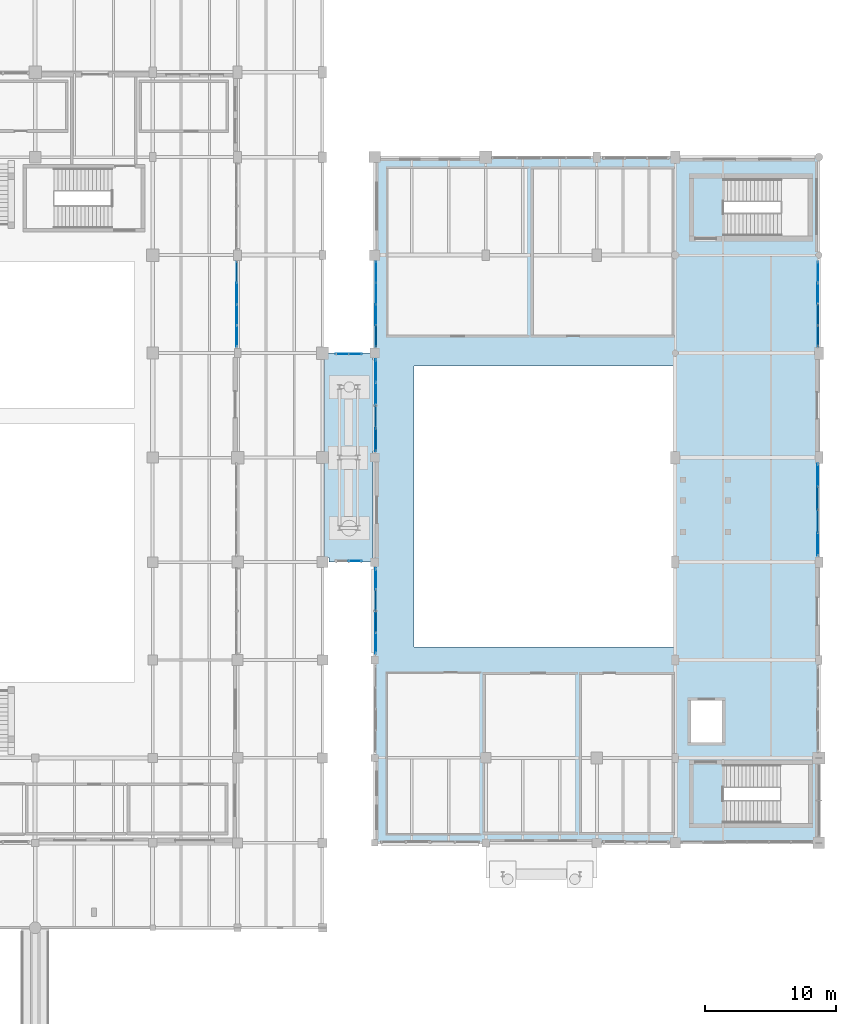
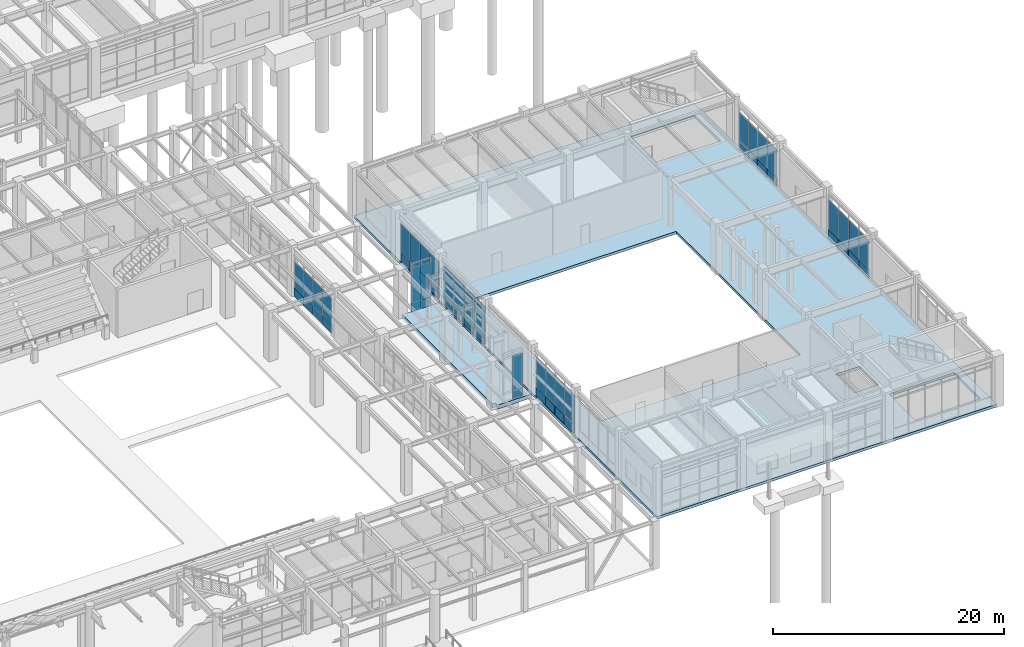
# One storey, part 159 of 203: 54 plates, 2 slabs, 8 elements without a shape of their own.
"""IFC4 building model written with IfcOpenShell, lengths in metres."""

from ifc_helpers import new_model, si_unit, direction, frame, origin, origin_2d, place, context, subcontext, project, spatial, polyline, rectangle, outline, extrude, material, layer, layer_set, type_object, element, aggregate, save


model = new_model("IFC4")

# Units and contexts
model_context = context("Model", 3, precision=1e-05, world=origin(), true_north=direction((0.0, 1.0)))
body_context = subcontext(model_context, "Body", "Model", "MODEL_VIEW")
ifc_project = project(units=[si_unit("LENGTHUNIT", "METRE"), si_unit("AREAUNIT", "SQUARE_METRE"), si_unit("VOLUMEUNIT", "CUBIC_METRE"), si_unit("PLANEANGLEUNIT", "RADIAN"), si_unit("MASSUNIT", "GRAM", prefix="KILO"), si_unit("THERMODYNAMICTEMPERATUREUNIT", "KELVIN"), si_unit("POWERUNIT", "WATT")], contexts=[model_context])

# Site, building, storey
site_placement = place(None, origin())
site = spatial("IfcSite", under=ifc_project, at=site_placement, CompositionType="ELEMENT")
building_placement = place(site_placement, origin())
building = spatial("IfcBuilding", under=site, at=building_placement, Name="Tepalcoro Natatorium and Aquatics Centre", CompositionType="ELEMENT")
storey_placement = place(building_placement, origin())
storey = spatial("IfcBuildingStorey", under=building, at=storey_placement, Name="L00", CompositionType="ELEMENT", Elevation=0.0)

# Curtain wall, plate
ifc_material_1 = material(Name="Bronze-Anodised Extruded Aluminium Alloy EN AW-6063 T6", Category="aluminium")
curtain_wall_type_1 = type_object("IfcCurtainWallType", Name="CW_V3_FOYER", PredefinedType="USERDEFINED", material=ifc_material_1)
curtain_wall_1_placement = place(storey_placement, origin())
curtain_wall_1 = element("IfcCurtainWall", 1, at=curtain_wall_1_placement, inside=storey, type_object=curtain_wall_type_1, Name="V1 L00 E Unitised Curtain Wall Bay 6", ObjectType="UNITISED STOREFRONT", PredefinedType="USERDEFINED")
ifc_material_2 = material(Name="Solar-Control Bronze Tempered Low-E Double Glazing", Category="glass")
ifc_layer_1 = layer(ifc_material_2, 0.048095703125)
ifc_layer_set_1 = layer_set([ifc_layer_1], Name="Solar-Control Bronze Tempered Low-E Double Glazing")
plate_type_1 = type_object("IfcPlateType", Name="PL_ACOUSTIC_IGU_48", PredefinedType="CURTAIN_PANEL", material=ifc_layer_set_1)
plate_1_placement = place(storey_placement, frame((131.4287109375, 48.5673828125, 0.9599609375), z_axis=(0.0, 0.0, 1.0), x_axis=(1.0, 0.0, 0.0)))
plate_1 = element("IfcPlate", 2, at=plate_1_placement, type_object=plate_type_1, Name="CW_V3_FOYER Insulated Glazing Unit", PredefinedType="CURTAIN_PANEL", context=body_context, shape_type="SweptSolid", body=[
    extrude(rectangle(XDim=0.048095703125, YDim=1.614990234375, at=origin_2d()), origin(), (0.0, 0.0, 1.0), 2.7880859375),
])

curtain_wall_type_2 = type_object("IfcCurtainWallType", Name="CW_LEAN_T1_EW", PredefinedType="USERDEFINED", material=ifc_material_1)
curtain_wall_2_placement = place(storey_placement, origin())
curtain_wall_2 = element("IfcCurtainWall", 3, at=curtain_wall_2_placement, inside=storey, type_object=curtain_wall_type_2, Name="V2 L00 W Unitised Curtain Wall Bay 3", ObjectType="FACETED SOLAR GLAZING", PredefinedType="USERDEFINED")
plate_2_placement = place(storey_placement, frame((142.0712890625, 23.4326171875, 0.9599609375), z_axis=(0.0, 0.0, 1.0), x_axis=(1.0, 0.0, 0.0)))
plate_2 = element("IfcPlate", 4, at=plate_2_placement, type_object=plate_type_1, Name="CW_LEAN_T1_EW Insulated Glazing Unit", PredefinedType="CURTAIN_PANEL", context=body_context, shape_type="SweptSolid", body=[
    extrude(rectangle(XDim=0.048095703125, YDim=1.614990234375, at=origin_2d()), origin(), (0.0, 0.0, 1.0), 3.177001953125),
])

# Curtain wall, plates
curtain_wall_type_3 = type_object("IfcCurtainWallType", Name="CW_LEAN_T2_EW", PredefinedType="USERDEFINED", material=ifc_material_1)
curtain_wall_3_placement = place(storey_placement, origin())
curtain_wall_3 = element("IfcCurtainWall", 5, at=curtain_wall_3_placement, inside=storey, type_object=curtain_wall_type_3, Name="V2 L00 W Unitised Curtain Wall Bay 5", ObjectType="FACETED SOLAR GLAZING", PredefinedType="USERDEFINED")
plate_3_placement = place(storey_placement, frame((142.0712890625, 37.360107421875, 0.9599609375), z_axis=(0.0, 0.0, 1.0), x_axis=(1.0, 0.0, 0.0)))
plate_3 = element("IfcPlate", 6, at=plate_3_placement, type_object=plate_type_1, Name="CW_LEAN_T2_EW Insulated Glazing Unit", PredefinedType="CURTAIN_PANEL", context=body_context, shape_type="SweptSolid", body=[
    extrude(rectangle(XDim=0.048095703125, YDim=1.739990234375, at=origin_2d()), origin(), (0.0, 0.0, 1.0), 3.053955078125),
])
plate_4_placement = place(storey_placement, frame((142.0712890625, 42.639892578125, 0.9599609375), z_axis=(0.0, 0.0, 1.0), x_axis=(1.0, 0.0, 0.0)))
plate_4 = element("IfcPlate", 7, at=plate_4_placement, type_object=plate_type_1, Name="CW_LEAN_T2_EW Insulated Glazing Unit", PredefinedType="CURTAIN_PANEL", context=body_context, shape_type="SweptSolid", body=[
    extrude(rectangle(XDim=0.048095703125, YDim=1.739990234375, at=origin_2d()), origin(), (0.0, 0.0, 1.0), 3.053955078125),
])

# Curtain wall, plate
curtain_wall_type_4 = type_object("IfcCurtainWallType", Name="CW_V1_PLINTH", PredefinedType="USERDEFINED", material=ifc_material_1)
curtain_wall_4_placement = place(storey_placement, origin())
curtain_wall_4 = element("IfcCurtainWall", 8, at=curtain_wall_4_placement, inside=storey, type_object=curtain_wall_type_4, Name="V2 L00 W Unitised Curtain Wall Bay 6", ObjectType="UNITISED STOREFRONT", PredefinedType="USERDEFINED")
plate_5_placement = place(storey_placement, frame((142.090087890625, 48.5673828125, 0.9599609375), z_axis=(0.0, 0.0, 1.0), x_axis=(1.0, 0.0, 0.0)))
plate_5 = element("IfcPlate", 9, at=plate_5_placement, type_object=plate_type_1, Name="CW_V1_PLINTH Insulated Glazing Unit", PredefinedType="CURTAIN_PANEL", context=body_context, shape_type="SweptSolid", body=[
    extrude(rectangle(XDim=0.048095703125, YDim=1.614990234375, at=origin_2d()), origin(), (0.0, 0.0, 1.0), 2.97802734375),
])

curtain_wall_5_placement = place(storey_placement, origin())
curtain_wall_5 = element("IfcCurtainWall", 10, at=curtain_wall_5_placement, inside=storey, type_object=curtain_wall_type_4, Name="V2 L00 E Unitised Curtain Wall Bay 4", ObjectType="UNITISED STOREFRONT", PredefinedType="USERDEFINED")
plate_6_placement = place(storey_placement, frame((175.909912109375, 32.8798828125, 0.9599609375), z_axis=(0.0, 0.0, 1.0), x_axis=(1.0, 0.0, 0.0)))
plate_6 = element("IfcPlate", 11, at=plate_6_placement, type_object=plate_type_1, Name="CW_V1_PLINTH Insulated Glazing Unit", PredefinedType="CURTAIN_PANEL", context=body_context, shape_type="SweptSolid", body=[
    extrude(rectangle(XDim=0.048095703125, YDim=1.739990234375, at=origin_2d()), origin(), (0.0, 0.0, 1.0), 3.1298828125),
])

curtain_wall_6_placement = place(storey_placement, origin())
curtain_wall_6 = element("IfcCurtainWall", 12, at=curtain_wall_6_placement, inside=storey, type_object=curtain_wall_type_1, Name="V2 L00 E Unitised Curtain Wall Bay 6", ObjectType="UNITISED STOREFRONT", PredefinedType="USERDEFINED")
plate_7_placement = place(storey_placement, frame((175.9287109375, 46.9326171875, 0.9599609375), z_axis=(0.0, 0.0, 1.0), x_axis=(1.0, 0.0, 0.0)))
plate_7 = element("IfcPlate", 13, at=plate_7_placement, type_object=plate_type_1, Name="CW_V3_FOYER Insulated Glazing Unit", PredefinedType="CURTAIN_PANEL", context=body_context, shape_type="SweptSolid", body=[
    extrude(rectangle(XDim=0.048095703125, YDim=1.614990234375, at=origin_2d()), origin(), (0.0, 0.0, 1.0), 2.97802734375),
])

# Plate
ifc_layer_2 = layer(ifc_material_2, 0.028076171875)
ifc_layer_set_2 = layer_set([ifc_layer_2], Name="Solar-Control Bronze Tempered Low-E Double Glazing")
plate_type_2 = type_object("IfcPlateType", Name="PL_BRONZE_IGU_28", PredefinedType="CURTAIN_PANEL", material=ifc_layer_set_2)
plate_8_placement = place(storey_placement, frame((131.4287109375, 46.9326171875, 0.9599609375), z_axis=(0.0, 0.0, 1.0), x_axis=(1.0, 0.0, 0.0)))
plate_8 = element("IfcPlate", 14, at=plate_8_placement, type_object=plate_type_2, Name="CW_V3_FOYER Insulated Glazing Unit", PredefinedType="CURTAIN_PANEL", context=body_context, shape_type="SweptSolid", body=[
    extrude(rectangle(XDim=0.028076171875, YDim=1.614990234375, at=origin_2d()), origin(), (0.0, 0.0, 1.0), 2.7880859375),
])

plate_9_placement = place(storey_placement, frame((142.0712890625, 21.797607421875, 0.9599609375), z_axis=(0.0, 0.0, 1.0), x_axis=(1.0, 0.0, 0.0)))
plate_9 = element("IfcPlate", 15, at=plate_9_placement, type_object=plate_type_2, Name="CW_LEAN_T1_EW Insulated Glazing Unit", PredefinedType="CURTAIN_PANEL", context=body_context, shape_type="SweptSolid", body=[
    extrude(rectangle(XDim=0.028076171875, YDim=1.614990234375, at=origin_2d()), origin(), (0.0, 0.0, 1.0), 3.177001953125),
])

plate_10_placement = place(storey_placement, frame((142.0712890625, 26.702392578125, 0.9599609375), z_axis=(0.0, 0.0, 1.0), x_axis=(1.0, 0.0, 0.0)))
plate_10 = element("IfcPlate", 16, at=plate_10_placement, type_object=plate_type_2, Name="CW_LEAN_T1_EW Insulated Glazing Unit", PredefinedType="CURTAIN_PANEL", context=body_context, shape_type="SweptSolid", body=[
    extrude(rectangle(XDim=0.028076171875, YDim=1.614990234375, at=origin_2d()), origin(), (0.0, 0.0, 1.0), 3.177001953125),
])

plate_11_placement = place(storey_placement, frame((142.0712890625, 40.8798828125, 0.9599609375), z_axis=(0.0, 0.0, 1.0), x_axis=(1.0, 0.0, 0.0)))
plate_11 = element("IfcPlate", 17, at=plate_11_placement, type_object=plate_type_2, Name="CW_LEAN_T2_EW Insulated Glazing Unit", PredefinedType="CURTAIN_PANEL", context=body_context, shape_type="SweptSolid", body=[
    extrude(rectangle(XDim=0.028076171875, YDim=1.739990234375, at=origin_2d()), origin(), (0.0, 0.0, 1.0), 3.053955078125),
])

plate_12_placement = place(storey_placement, frame((142.090087890625, 46.9326171875, 0.9599609375), z_axis=(0.0, 0.0, 1.0), x_axis=(1.0, 0.0, 0.0)))
plate_12 = element("IfcPlate", 18, at=plate_12_placement, type_object=plate_type_2, Name="CW_V1_PLINTH Insulated Glazing Unit", PredefinedType="CURTAIN_PANEL", context=body_context, shape_type="SweptSolid", body=[
    extrude(rectangle(XDim=0.028076171875, YDim=1.614990234375, at=origin_2d()), origin(), (0.0, 0.0, 1.0), 2.97802734375),
])

plate_13_placement = place(storey_placement, frame((175.909912109375, 31.1201171875, 0.9599609375), z_axis=(0.0, 0.0, 1.0), x_axis=(1.0, 0.0, 0.0)))
plate_13 = element("IfcPlate", 19, at=plate_13_placement, type_object=plate_type_2, Name="CW_V1_PLINTH Insulated Glazing Unit", PredefinedType="CURTAIN_PANEL", context=body_context, shape_type="SweptSolid", body=[
    extrude(rectangle(XDim=0.028076171875, YDim=1.739990234375, at=origin_2d()), origin(), (0.0, 0.0, 1.0), 3.1298828125),
])

plate_14_placement = place(storey_placement, frame((175.9287109375, 45.297607421875, 0.9599609375), z_axis=(0.0, 0.0, 1.0), x_axis=(1.0, 0.0, 0.0)))
plate_14 = element("IfcPlate", 20, at=plate_14_placement, type_object=plate_type_2, Name="CW_V3_FOYER Insulated Glazing Unit", PredefinedType="CURTAIN_PANEL", context=body_context, shape_type="SweptSolid", body=[
    extrude(rectangle(XDim=0.028076171875, YDim=1.614990234375, at=origin_2d()), origin(), (0.0, 0.0, 1.0), 2.97802734375),
])

plate_15_placement = place(storey_placement, frame((175.9287109375, 50.202392578125, 0.9599609375), z_axis=(0.0, 0.0, 1.0), x_axis=(1.0, 0.0, 0.0)))
plate_15 = element("IfcPlate", 21, at=plate_15_placement, type_object=plate_type_2, Name="CW_V3_FOYER Insulated Glazing Unit", PredefinedType="CURTAIN_PANEL", context=body_context, shape_type="SweptSolid", body=[
    extrude(rectangle(XDim=0.028076171875, YDim=1.614990234375, at=origin_2d()), origin(), (0.0, 0.0, 1.0), 2.97802734375),
])

# Curtain wall, plate
curtain_wall_type_5 = type_object("IfcCurtainWallType", Name="CW_LINK_150", PredefinedType="USERDEFINED", material=ifc_material_1)
curtain_wall_7_placement = place(storey_placement, origin())
curtain_wall_7 = element("IfcCurtainWall", 22, at=curtain_wall_7_placement, inside=storey, type_object=curtain_wall_type_5, Name="East Diving Seismic Link Glazed Wall N L00", ObjectType="UNITISED STOREFRONT", PredefinedType="USERDEFINED")
plate_16_placement = place(storey_placement, frame((140.5, 43.919921875, 0.9599609375), z_axis=(0.0, 0.0, 1.0), x_axis=(1.0, 0.0, 0.0)))
plate_16 = element("IfcPlate", 23, at=plate_16_placement, type_object=plate_type_2, Name="CW_LINK_150 Insulated Glazing Unit", PredefinedType="CURTAIN_PANEL", context=body_context, shape_type="SweptSolid", body=[
    extrude(rectangle(XDim=0.97998046875, YDim=0.028076171875, at=origin_2d()), origin(), (0.0, 0.0, 1.0), 3.639892578125),
])

# Plate
ifc_material_3 = material(Name="Jalisco Cantera Rosa Volcanic Tuff Ashlar Masonry", Category="masonry")
ifc_layer_3 = layer(ifc_material_3, 0.090087890625)
ifc_layer_set_3 = layer_set([ifc_layer_3], Name="Jalisco Cantera Rosa Volcanic Tuff Ashlar Masonry")
plate_type_3 = type_object("IfcPlateType", Name="PL_CANTERA_90", PredefinedType="SHEET", material=ifc_layer_set_3)
plate_17_placement = place(storey_placement, frame((131.4287109375, 50.202392578125, 0.044921875), z_axis=(0.0, 0.0, 1.0), x_axis=(1.0, 0.0, 0.0)))
plate_17 = element("IfcPlate", 24, at=plate_17_placement, type_object=plate_type_3, Name="CW_V3_FOYER Spandrel & Screen Panel", PredefinedType="SHEET", context=body_context, shape_type="SweptSolid", body=[
    extrude(rectangle(XDim=0.090087890625, YDim=1.614990234375, at=origin_2d()), origin(), (0.0, 0.0, 1.0), 0.909912109375),
])

plate_18_placement = place(storey_placement, frame((142.0712890625, 23.4326171875, 0.044921875), z_axis=(0.0, 0.0, 1.0), x_axis=(1.0, 0.0, 0.0)))
plate_18 = element("IfcPlate", 25, at=plate_18_placement, type_object=plate_type_3, Name="CW_LEAN_T1_EW Spandrel & Screen Panel", PredefinedType="SHEET", context=body_context, shape_type="SweptSolid", body=[
    extrude(rectangle(XDim=0.090087890625, YDim=1.614990234375, at=origin_2d()), origin(), (0.0, 0.0, 1.0), 0.909912109375),
])

plate_19_placement = place(storey_placement, frame((142.0712890625, 37.360107421875, 0.044921875), z_axis=(0.0, 0.0, 1.0), x_axis=(1.0, 0.0, 0.0)))
plate_19 = element("IfcPlate", 26, at=plate_19_placement, type_object=plate_type_3, Name="CW_LEAN_T2_EW Spandrel & Screen Panel", PredefinedType="SHEET", context=body_context, shape_type="SweptSolid", body=[
    extrude(rectangle(XDim=0.090087890625, YDim=1.739990234375, at=origin_2d()), origin(), (0.0, 0.0, 1.0), 0.909912109375),
])

plate_20_placement = place(storey_placement, frame((175.909912109375, 31.1201171875, 0.044921875), z_axis=(0.0, 0.0, 1.0), x_axis=(1.0, 0.0, 0.0)))
plate_20 = element("IfcPlate", 27, at=plate_20_placement, type_object=plate_type_3, Name="CW_V1_PLINTH Spandrel & Screen Panel", PredefinedType="SHEET", context=body_context, shape_type="SweptSolid", body=[
    extrude(rectangle(XDim=0.090087890625, YDim=1.739990234375, at=origin_2d()), origin(), (0.0, 0.0, 1.0), 0.909912109375),
])

plate_21_placement = place(storey_placement, frame((175.9287109375, 45.297607421875, 0.044921875), z_axis=(0.0, 0.0, 1.0), x_axis=(1.0, 0.0, 0.0)))
plate_21 = element("IfcPlate", 28, at=plate_21_placement, type_object=plate_type_3, Name="CW_V3_FOYER Spandrel & Screen Panel", PredefinedType="SHEET", context=body_context, shape_type="SweptSolid", body=[
    extrude(rectangle(XDim=0.090087890625, YDim=1.614990234375, at=origin_2d()), origin(), (0.0, 0.0, 1.0), 0.909912109375),
])

ifc_material_4 = material(Name="Clear Tempered Low-E Safety Glazing", Category="glass")
ifc_layer_4 = layer(ifc_material_4, 0.011962890625)
ifc_layer_set_4 = layer_set([ifc_layer_4], Name="Clear Tempered Low-E Safety Glazing")
plate_type_4 = type_object("IfcPlateType", Name="PL_GLASS_12", PredefinedType="CURTAIN_PANEL", material=ifc_layer_set_4)
plate_22_placement = place(storey_placement, frame((131.4287109375, 45.297607421875, 0.9599609375), z_axis=(0.0, 0.0, 1.0), x_axis=(1.0, 0.0, 0.0)))
plate_22 = element("IfcPlate", 29, at=plate_22_placement, type_object=plate_type_4, Name="CW_V3_FOYER Insulated Glazing Unit", PredefinedType="CURTAIN_PANEL", context=body_context, shape_type="SweptSolid", body=[
    extrude(rectangle(XDim=0.011962890625, YDim=1.614990234375, at=origin_2d()), origin(), (0.0, 0.0, 1.0), 2.7880859375),
])

plate_23_placement = place(storey_placement, frame((131.4287109375, 50.202392578125, 0.9599609375), z_axis=(0.0, 0.0, 1.0), x_axis=(1.0, 0.0, 0.0)))
plate_23 = element("IfcPlate", 30, at=plate_23_placement, type_object=plate_type_4, Name="CW_V3_FOYER Insulated Glazing Unit", PredefinedType="CURTAIN_PANEL", context=body_context, shape_type="SweptSolid", body=[
    extrude(rectangle(XDim=0.011962890625, YDim=1.614990234375, at=origin_2d()), origin(), (0.0, 0.0, 1.0), 2.7880859375),
])

plate_24_placement = place(storey_placement, frame((142.0712890625, 25.0673828125, 0.9599609375), z_axis=(0.0, 0.0, 1.0), x_axis=(1.0, 0.0, 0.0)))
plate_24 = element("IfcPlate", 31, at=plate_24_placement, type_object=plate_type_4, Name="CW_LEAN_T1_EW Insulated Glazing Unit", PredefinedType="CURTAIN_PANEL", context=body_context, shape_type="SweptSolid", body=[
    extrude(rectangle(XDim=0.011962890625, YDim=1.614990234375, at=origin_2d()), origin(), (0.0, 0.0, 1.0), 3.177001953125),
])

plate_25_placement = place(storey_placement, frame((142.0712890625, 39.1201171875, 0.9599609375), z_axis=(0.0, 0.0, 1.0), x_axis=(1.0, 0.0, 0.0)))
plate_25 = element("IfcPlate", 32, at=plate_25_placement, type_object=plate_type_4, Name="CW_LEAN_T2_EW Insulated Glazing Unit", PredefinedType="CURTAIN_PANEL", context=body_context, shape_type="SweptSolid", body=[
    extrude(rectangle(XDim=0.011962890625, YDim=1.739990234375, at=origin_2d()), origin(), (0.0, 0.0, 1.0), 3.053955078125),
])

plate_26_placement = place(storey_placement, frame((142.090087890625, 45.297607421875, 0.9599609375), z_axis=(0.0, 0.0, 1.0), x_axis=(1.0, 0.0, 0.0)))
plate_26 = element("IfcPlate", 33, at=plate_26_placement, type_object=plate_type_4, Name="CW_V1_PLINTH Insulated Glazing Unit", PredefinedType="CURTAIN_PANEL", context=body_context, shape_type="SweptSolid", body=[
    extrude(rectangle(XDim=0.011962890625, YDim=1.614990234375, at=origin_2d()), origin(), (0.0, 0.0, 1.0), 2.97802734375),
])

plate_27_placement = place(storey_placement, frame((142.090087890625, 50.202392578125, 0.9599609375), z_axis=(0.0, 0.0, 1.0), x_axis=(1.0, 0.0, 0.0)))
plate_27 = element("IfcPlate", 34, at=plate_27_placement, type_object=plate_type_4, Name="CW_V1_PLINTH Insulated Glazing Unit", PredefinedType="CURTAIN_PANEL", context=body_context, shape_type="SweptSolid", body=[
    extrude(rectangle(XDim=0.011962890625, YDim=1.614990234375, at=origin_2d()), origin(), (0.0, 0.0, 1.0), 2.97802734375),
])

plate_28_placement = place(storey_placement, frame((175.909912109375, 29.360107421875, 0.9599609375), z_axis=(0.0, 0.0, 1.0), x_axis=(1.0, 0.0, 0.0)))
plate_28 = element("IfcPlate", 35, at=plate_28_placement, type_object=plate_type_4, Name="CW_V1_PLINTH Insulated Glazing Unit", PredefinedType="CURTAIN_PANEL", context=body_context, shape_type="SweptSolid", body=[
    extrude(rectangle(XDim=0.011962890625, YDim=1.739990234375, at=origin_2d()), origin(), (0.0, 0.0, 1.0), 3.1298828125),
])

plate_29_placement = place(storey_placement, frame((175.909912109375, 34.639892578125, 0.9599609375), z_axis=(0.0, 0.0, 1.0), x_axis=(1.0, 0.0, 0.0)))
plate_29 = element("IfcPlate", 36, at=plate_29_placement, type_object=plate_type_4, Name="CW_V1_PLINTH Insulated Glazing Unit", PredefinedType="CURTAIN_PANEL", context=body_context, shape_type="SweptSolid", body=[
    extrude(rectangle(XDim=0.011962890625, YDim=1.739990234375, at=origin_2d()), origin(), (0.0, 0.0, 1.0), 3.1298828125),
])

plate_30_placement = place(storey_placement, frame((175.9287109375, 48.5673828125, 0.9599609375), z_axis=(0.0, 0.0, 1.0), x_axis=(1.0, 0.0, 0.0)))
plate_30 = element("IfcPlate", 37, at=plate_30_placement, type_object=plate_type_4, Name="CW_V3_FOYER Insulated Glazing Unit", PredefinedType="CURTAIN_PANEL", context=body_context, shape_type="SweptSolid", body=[
    extrude(rectangle(XDim=0.011962890625, YDim=1.614990234375, at=origin_2d()), origin(), (0.0, 0.0, 1.0), 2.97802734375),
])

# Curtain wall, plate
curtain_wall_8_placement = place(storey_placement, origin())
curtain_wall_8 = element("IfcCurtainWall", 38, at=curtain_wall_8_placement, inside=storey, type_object=curtain_wall_type_5, Name="East Diving Seismic Link Glazed Wall S L00", ObjectType="UNITISED STOREFRONT", PredefinedType="USERDEFINED")
plate_31_placement = place(storey_placement, frame((140.5, 28.080078125, 0.9599609375), z_axis=(0.0, 0.0, 1.0), x_axis=(1.0, 0.0, 0.0)))
plate_31 = element("IfcPlate", 39, at=plate_31_placement, type_object=plate_type_4, Name="CW_LINK_150 Insulated Glazing Unit", PredefinedType="CURTAIN_PANEL", context=body_context, shape_type="SweptSolid", body=[
    extrude(rectangle(XDim=0.97998046875, YDim=0.011962890625, at=origin_2d()), origin(), (0.0, 0.0, 1.0), 3.639892578125),
])

# Plate
plate_32_placement = place(storey_placement, frame((139.5, 43.919921875, 0.9599609375), z_axis=(0.0, 0.0, 1.0), x_axis=(1.0, 0.0, 0.0)))
plate_32 = element("IfcPlate", 40, at=plate_32_placement, type_object=plate_type_4, Name="CW_LINK_150 Insulated Glazing Unit", PredefinedType="CURTAIN_PANEL", context=body_context, shape_type="SweptSolid", body=[
    extrude(rectangle(XDim=0.97998046875, YDim=0.011962890625, at=origin_2d()), origin(), (0.0, 0.0, 1.0), 3.639892578125),
])

ifc_material_5 = material(Name="Volcanic Recinto Basalt Ashlar Masonry", Category="masonry")
ifc_layer_5 = layer(ifc_material_5, 0.110107421875)
ifc_layer_set_5 = layer_set([ifc_layer_5], Name="Volcanic Recinto Basalt Ashlar Masonry")
plate_type_5 = type_object("IfcPlateType", Name="PL_RECINTO_110", PredefinedType="SHEET", material=ifc_layer_set_5)
plate_33_placement = place(storey_placement, frame((142.0712890625, 25.0673828125, 0.044921875), z_axis=(0.0, 0.0, 1.0), x_axis=(1.0, 0.0, 0.0)))
plate_33 = element("IfcPlate", 41, at=plate_33_placement, type_object=plate_type_5, Name="CW_LEAN_T1_EW Spandrel & Screen Panel", PredefinedType="SHEET", context=body_context, shape_type="SweptSolid", body=[
    extrude(rectangle(XDim=0.110107421875, YDim=1.614990234375, at=origin_2d()), origin(), (0.0, 0.0, 1.0), 0.909912109375),
])

plate_34_placement = place(storey_placement, frame((142.0712890625, 39.1201171875, 0.044921875), z_axis=(0.0, 0.0, 1.0), x_axis=(1.0, 0.0, 0.0)))
plate_34 = element("IfcPlate", 42, at=plate_34_placement, type_object=plate_type_5, Name="CW_LEAN_T2_EW Spandrel & Screen Panel", PredefinedType="SHEET", context=body_context, shape_type="SweptSolid", body=[
    extrude(rectangle(XDim=0.110107421875, YDim=1.739990234375, at=origin_2d()), origin(), (0.0, 0.0, 1.0), 0.909912109375),
])

plate_35_placement = place(storey_placement, frame((142.090087890625, 45.297607421875, 0.044921875), z_axis=(0.0, 0.0, 1.0), x_axis=(1.0, 0.0, 0.0)))
plate_35 = element("IfcPlate", 43, at=plate_35_placement, type_object=plate_type_5, Name="CW_V1_PLINTH Spandrel & Screen Panel", PredefinedType="SHEET", context=body_context, shape_type="SweptSolid", body=[
    extrude(rectangle(XDim=0.110107421875, YDim=1.614990234375, at=origin_2d()), origin(), (0.0, 0.0, 1.0), 0.909912109375),
])

plate_36_placement = place(storey_placement, frame((175.909912109375, 32.8798828125, 0.044921875), z_axis=(0.0, 0.0, 1.0), x_axis=(1.0, 0.0, 0.0)))
plate_36 = element("IfcPlate", 44, at=plate_36_placement, type_object=plate_type_5, Name="CW_V1_PLINTH Spandrel & Screen Panel", PredefinedType="SHEET", context=body_context, shape_type="SweptSolid", body=[
    extrude(rectangle(XDim=0.110107421875, YDim=1.739990234375, at=origin_2d()), origin(), (0.0, 0.0, 1.0), 0.909912109375),
])

plate_37_placement = place(storey_placement, frame((175.9287109375, 46.9326171875, 0.044921875), z_axis=(0.0, 0.0, 1.0), x_axis=(1.0, 0.0, 0.0)))
plate_37 = element("IfcPlate", 45, at=plate_37_placement, type_object=plate_type_5, Name="CW_V3_FOYER Spandrel & Screen Panel", PredefinedType="SHEET", context=body_context, shape_type="SweptSolid", body=[
    extrude(rectangle(XDim=0.110107421875, YDim=1.614990234375, at=origin_2d()), origin(), (0.0, 0.0, 1.0), 0.909912109375),
])

ifc_layer_6 = layer(ifc_material_1, 0.050048828125)
ifc_layer_set_6 = layer_set([ifc_layer_6], Name="Bronze-Anodised Extruded Aluminium Alloy EN AW-6063 T6")
plate_type_6 = type_object("IfcPlateType", Name="PL_SCREEN_50", PredefinedType="SHEET", material=ifc_layer_set_6)
plate_38_placement = place(storey_placement, frame((131.4287109375, 46.9326171875, 0.044921875), z_axis=(0.0, 0.0, 1.0), x_axis=(1.0, 0.0, 0.0)))
plate_38 = element("IfcPlate", 46, at=plate_38_placement, type_object=plate_type_6, Name="CW_V3_FOYER Spandrel & Screen Panel", PredefinedType="SHEET", context=body_context, shape_type="SweptSolid", body=[
    extrude(rectangle(XDim=0.050048828125, YDim=1.614990234375, at=origin_2d()), origin(), (0.0, 0.0, 1.0), 0.909912109375),
])

plate_39_placement = place(storey_placement, frame((142.0712890625, 42.639892578125, 0.044921875), z_axis=(0.0, 0.0, 1.0), x_axis=(1.0, 0.0, 0.0)))
plate_39 = element("IfcPlate", 47, at=plate_39_placement, type_object=plate_type_6, Name="CW_LEAN_T2_EW Spandrel & Screen Panel", PredefinedType="SHEET", context=body_context, shape_type="SweptSolid", body=[
    extrude(rectangle(XDim=0.050048828125, YDim=1.739990234375, at=origin_2d()), origin(), (0.0, 0.0, 1.0), 0.909912109375),
])

plate_40_placement = place(storey_placement, frame((142.090087890625, 48.5673828125, 0.044921875), z_axis=(0.0, 0.0, 1.0), x_axis=(1.0, 0.0, 0.0)))
plate_40 = element("IfcPlate", 48, at=plate_40_placement, type_object=plate_type_6, Name="CW_V1_PLINTH Spandrel & Screen Panel", PredefinedType="SHEET", context=body_context, shape_type="SweptSolid", body=[
    extrude(rectangle(XDim=0.050048828125, YDim=1.614990234375, at=origin_2d()), origin(), (0.0, 0.0, 1.0), 0.909912109375),
])

plate_41_placement = place(storey_placement, frame((175.9287109375, 50.202392578125, 0.044921875), z_axis=(0.0, 0.0, 1.0), x_axis=(1.0, 0.0, 0.0)))
plate_41 = element("IfcPlate", 49, at=plate_41_placement, type_object=plate_type_6, Name="CW_V3_FOYER Spandrel & Screen Panel", PredefinedType="SHEET", context=body_context, shape_type="SweptSolid", body=[
    extrude(rectangle(XDim=0.050048828125, YDim=1.614990234375, at=origin_2d()), origin(), (0.0, 0.0, 1.0), 0.909912109375),
])

plate_42_placement = place(storey_placement, frame((140.5, 28.080078125, 0.044921875), z_axis=(0.0, 0.0, 1.0), x_axis=(1.0, 0.0, 0.0)))
plate_42 = element("IfcPlate", 50, at=plate_42_placement, type_object=plate_type_6, Name="CW_LINK_150 Spandrel & Screen Panel", PredefinedType="SHEET", context=body_context, shape_type="SweptSolid", body=[
    extrude(rectangle(XDim=0.97998046875, YDim=0.050048828125, at=origin_2d()), origin(), (0.0, 0.0, 1.0), 0.909912109375),
])

aggregate(curtain_wall_8, [plate_31, plate_42])

plate_43_placement = place(storey_placement, frame((139.5, 43.919921875, 0.044921875), z_axis=(0.0, 0.0, 1.0), x_axis=(1.0, 0.0, 0.0)))
plate_43 = element("IfcPlate", 51, at=plate_43_placement, type_object=plate_type_6, Name="CW_LINK_150 Spandrel & Screen Panel", PredefinedType="SHEET", context=body_context, shape_type="SweptSolid", body=[
    extrude(rectangle(XDim=0.97998046875, YDim=0.050048828125, at=origin_2d()), origin(), (0.0, 0.0, 1.0), 0.909912109375),
])

ifc_layer_7 = layer(ifc_material_1, 0.06005859375)
ifc_layer_set_7 = layer_set([ifc_layer_7], Name="Bronze-Anodised Extruded Aluminium Alloy EN AW-6063 T6")
plate_type_7 = type_object("IfcPlateType", Name="PL_SCREEN_60", PredefinedType="SHEET", material=ifc_layer_set_7)
plate_44_placement = place(storey_placement, frame((131.4287109375, 48.5673828125, 0.044921875), z_axis=(0.0, 0.0, 1.0), x_axis=(1.0, 0.0, 0.0)))
plate_44 = element("IfcPlate", 52, at=plate_44_placement, type_object=plate_type_7, Name="CW_V3_FOYER Spandrel & Screen Panel", PredefinedType="SHEET", context=body_context, shape_type="SweptSolid", body=[
    extrude(rectangle(XDim=0.06005859375, YDim=1.614990234375, at=origin_2d()), origin(), (0.0, 0.0, 1.0), 0.909912109375),
])

plate_45_placement = place(storey_placement, frame((142.0712890625, 21.797607421875, 0.044921875), z_axis=(0.0, 0.0, 1.0), x_axis=(1.0, 0.0, 0.0)))
plate_45 = element("IfcPlate", 53, at=plate_45_placement, type_object=plate_type_7, Name="CW_LEAN_T1_EW Spandrel & Screen Panel", PredefinedType="SHEET", context=body_context, shape_type="SweptSolid", body=[
    extrude(rectangle(XDim=0.06005859375, YDim=1.614990234375, at=origin_2d()), origin(), (0.0, 0.0, 1.0), 0.909912109375),
])

plate_46_placement = place(storey_placement, frame((142.090087890625, 50.202392578125, 0.044921875), z_axis=(0.0, 0.0, 1.0), x_axis=(1.0, 0.0, 0.0)))
plate_46 = element("IfcPlate", 54, at=plate_46_placement, type_object=plate_type_7, Name="CW_V1_PLINTH Spandrel & Screen Panel", PredefinedType="SHEET", context=body_context, shape_type="SweptSolid", body=[
    extrude(rectangle(XDim=0.06005859375, YDim=1.614990234375, at=origin_2d()), origin(), (0.0, 0.0, 1.0), 0.909912109375),
])

plate_47_placement = place(storey_placement, frame((175.909912109375, 29.360107421875, 0.044921875), z_axis=(0.0, 0.0, 1.0), x_axis=(1.0, 0.0, 0.0)))
plate_47 = element("IfcPlate", 55, at=plate_47_placement, type_object=plate_type_7, Name="CW_V1_PLINTH Spandrel & Screen Panel", PredefinedType="SHEET", context=body_context, shape_type="SweptSolid", body=[
    extrude(rectangle(XDim=0.06005859375, YDim=1.739990234375, at=origin_2d()), origin(), (0.0, 0.0, 1.0), 0.909912109375),
])

plate_48_placement = place(storey_placement, frame((140.5, 43.919921875, 0.044921875), z_axis=(0.0, 0.0, 1.0), x_axis=(1.0, 0.0, 0.0)))
plate_48 = element("IfcPlate", 56, at=plate_48_placement, type_object=plate_type_7, Name="CW_LINK_150 Spandrel & Screen Panel", PredefinedType="SHEET", context=body_context, shape_type="SweptSolid", body=[
    extrude(rectangle(XDim=0.97998046875, YDim=0.06005859375, at=origin_2d()), origin(), (0.0, 0.0, 1.0), 0.909912109375),
])

aggregate(curtain_wall_7, [plate_32, plate_43, plate_16, plate_48])

ifc_material_6 = material(Name="Insulated Bronze Anodised Aluminium Spandrel Panel", Category="aluminium")
ifc_layer_8 = layer(ifc_material_6, 0.070068359375)
ifc_layer_set_8 = layer_set([ifc_layer_8], Name="Insulated Bronze Anodised Aluminium Spandrel Panel")
plate_type_8 = type_object("IfcPlateType", Name="PL_SPANDREL_70", PredefinedType="CURTAIN_PANEL", material=ifc_layer_set_8)
plate_49_placement = place(storey_placement, frame((131.4287109375, 45.297607421875, 0.044921875), z_axis=(0.0, 0.0, 1.0), x_axis=(1.0, 0.0, 0.0)))
plate_49 = element("IfcPlate", 57, at=plate_49_placement, type_object=plate_type_8, Name="CW_V3_FOYER Spandrel & Screen Panel", PredefinedType="CURTAIN_PANEL", context=body_context, shape_type="SweptSolid", body=[
    extrude(rectangle(XDim=0.070068359375, YDim=1.614990234375, at=origin_2d()), origin(), (0.0, 0.0, 1.0), 0.909912109375),
])

aggregate(curtain_wall_1, [plate_22, plate_49, plate_8, plate_38, plate_1, plate_44, plate_23, plate_17])

plate_50_placement = place(storey_placement, frame((142.0712890625, 26.702392578125, 0.044921875), z_axis=(0.0, 0.0, 1.0), x_axis=(1.0, 0.0, 0.0)))
plate_50 = element("IfcPlate", 58, at=plate_50_placement, type_object=plate_type_8, Name="CW_LEAN_T1_EW Spandrel & Screen Panel", PredefinedType="CURTAIN_PANEL", context=body_context, shape_type="SweptSolid", body=[
    extrude(rectangle(XDim=0.070068359375, YDim=1.614990234375, at=origin_2d()), origin(), (0.0, 0.0, 1.0), 0.909912109375),
])

aggregate(curtain_wall_2, [plate_9, plate_45, plate_2, plate_18, plate_24, plate_33, plate_10, plate_50])

plate_51_placement = place(storey_placement, frame((142.0712890625, 40.8798828125, 0.044921875), z_axis=(0.0, 0.0, 1.0), x_axis=(1.0, 0.0, 0.0)))
plate_51 = element("IfcPlate", 59, at=plate_51_placement, type_object=plate_type_8, Name="CW_LEAN_T2_EW Spandrel & Screen Panel", PredefinedType="CURTAIN_PANEL", context=body_context, shape_type="SweptSolid", body=[
    extrude(rectangle(XDim=0.070068359375, YDim=1.739990234375, at=origin_2d()), origin(), (0.0, 0.0, 1.0), 0.909912109375),
])

aggregate(curtain_wall_3, [plate_3, plate_19, plate_25, plate_34, plate_11, plate_51, plate_4, plate_39])

plate_52_placement = place(storey_placement, frame((142.090087890625, 46.9326171875, 0.044921875), z_axis=(0.0, 0.0, 1.0), x_axis=(1.0, 0.0, 0.0)))
plate_52 = element("IfcPlate", 60, at=plate_52_placement, type_object=plate_type_8, Name="CW_V1_PLINTH Spandrel & Screen Panel", PredefinedType="CURTAIN_PANEL", context=body_context, shape_type="SweptSolid", body=[
    extrude(rectangle(XDim=0.070068359375, YDim=1.614990234375, at=origin_2d()), origin(), (0.0, 0.0, 1.0), 0.909912109375),
])

aggregate(curtain_wall_4, [plate_26, plate_35, plate_12, plate_52, plate_5, plate_40, plate_27, plate_46])

plate_53_placement = place(storey_placement, frame((175.909912109375, 34.639892578125, 0.044921875), z_axis=(0.0, 0.0, 1.0), x_axis=(1.0, 0.0, 0.0)))
plate_53 = element("IfcPlate", 61, at=plate_53_placement, type_object=plate_type_8, Name="CW_V1_PLINTH Spandrel & Screen Panel", PredefinedType="CURTAIN_PANEL", context=body_context, shape_type="SweptSolid", body=[
    extrude(rectangle(XDim=0.070068359375, YDim=1.739990234375, at=origin_2d()), origin(), (0.0, 0.0, 1.0), 0.909912109375),
])

aggregate(curtain_wall_5, [plate_28, plate_47, plate_13, plate_20, plate_6, plate_36, plate_29, plate_53])

plate_54_placement = place(storey_placement, frame((175.9287109375, 48.5673828125, 0.044921875), z_axis=(0.0, 0.0, 1.0), x_axis=(1.0, 0.0, 0.0)))
plate_54 = element("IfcPlate", 62, at=plate_54_placement, type_object=plate_type_8, Name="CW_V3_FOYER Spandrel & Screen Panel", PredefinedType="CURTAIN_PANEL", context=body_context, shape_type="SweptSolid", body=[
    extrude(rectangle(XDim=0.070068359375, YDim=1.614990234375, at=origin_2d()), origin(), (0.0, 0.0, 1.0), 0.909912109375),
])

aggregate(curtain_wall_6, [plate_14, plate_21, plate_7, plate_37, plate_30, plate_54, plate_15, plate_41])

# Slabs
ifc_material_7 = material(Name="Concrete C40/50 (fc 40 MPa)", Category="concrete")
ifc_layer_9 = layer(ifc_material_7, 0.419921875)
ifc_layer_set_9 = layer_set([ifc_layer_9], Name="Concrete C40/50 (fc 40 MPa)")
slab_type_1 = type_object("IfcSlabType", Name="SL_BASE_420", PredefinedType="BASESLAB", material=ifc_layer_set_9)
slab_1_placement = place(storey_placement, frame((0.0, 0.0, -0.419921875)))
element("IfcSlab", 63, at=slab_1_placement, inside=storey, type_object=slab_type_1, Name="East Diving Seismic Link L00 Slab", PredefinedType="BASESLAB", context=body_context, shape_type="SweptSolid", body=[
    extrude(outline(polyline([(138.14990234375, 44.0), (141.85009765625, 44.0), (141.85009765625, 28.0), (138.5, 28.0), (138.5, 28.35009765625), (138.14990234375, 28.35009765625), (138.14990234375, 44.0)])), origin(), (0.0, 0.0, 1.0), 0.419921875),
])
ifc_material_8 = material(Name="Concrete C35/45 (fc 35 MPa)", Category="concrete")
ifc_layer_10 = layer(ifc_material_8, 0.280029296875)
ifc_layer_set_10 = layer_set([ifc_layer_10], Name="Concrete C35/45 (fc 35 MPa)")
slab_type_2 = type_object("IfcSlabType", Name="SL_FLOOR_280", PredefinedType="FLOOR", material=ifc_layer_set_10)
slab_2_placement = place(storey_placement, frame((0.0, 0.0, -0.280029296875)))
element("IfcSlab", 64, at=slab_2_placement, inside=storey, type_object=slab_type_2, Name="V2 L00 Natatorium and Civic Floor Slab MAIN", PredefinedType="FLOOR", context=body_context, shape_type="SweptSolid", body=[
    extrude(outline(polyline([(176.0, 6.5), (142.0, 6.5), (142.0, 59.0), (176.0, 59.0), (176.0, 6.5)]), holes=[polyline([(145.0, 21.5), (165.0, 21.5), (165.0, 43.0), (145.0, 43.0), (145.0, 21.5)]), polyline([(168.679931640625, 12.5), (168.679931640625, 8.0), (175.199951171875, 8.0), (175.199951171875, 12.5), (168.679931640625, 12.5)]), polyline([(175.14990234375, 57.35009765625), (168.72998046875, 57.35009765625), (168.72998046875, 52.949951171875), (175.14990234375, 52.949951171875), (175.14990234375, 57.35009765625)]), polyline([(168.60009765625, 14.199951171875), (168.60009765625, 17.39990234375), (166.199951171875, 17.39990234375), (166.199951171875, 14.199951171875), (168.60009765625, 14.199951171875)])]), origin(), (0.0, 0.0, 1.0), 0.280029296875),
])

save(model, "model.ifc")
